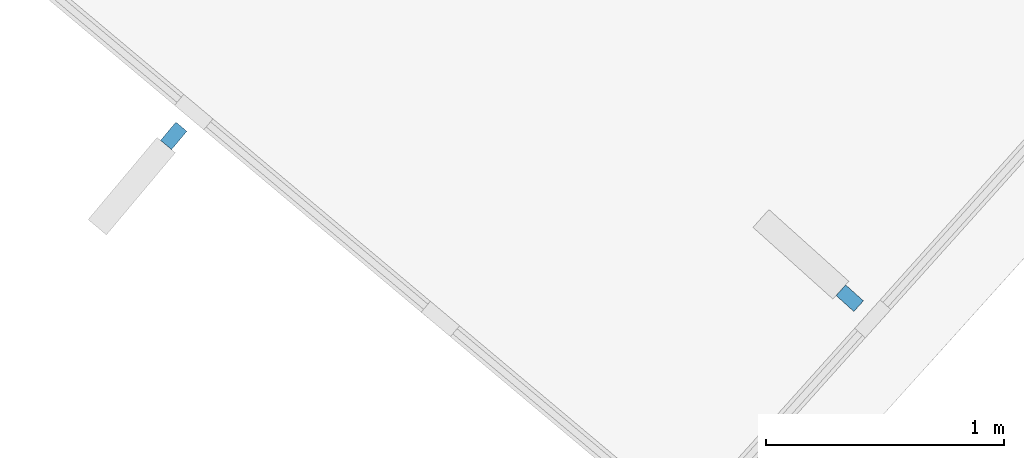
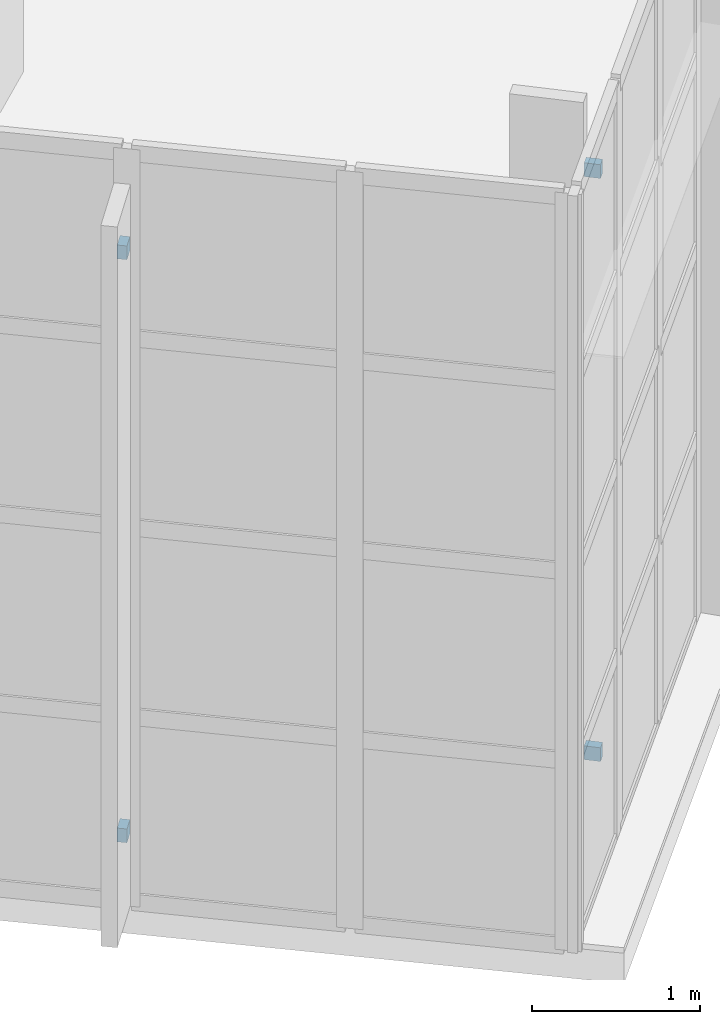
# One storey, part 85 of 132: 4 discrete accessories.
"""IFC4 building model written with IfcOpenShell, lengths in metres."""

from ifc_helpers import new_model, si_unit, direction, frame, origin, origin_2d, place, context, subcontext, project, spatial, rectangle, extrude, material, type_object, element, save


model = new_model("IFC4")

# Units and contexts
model_context = context("Model", 3, precision=1e-05, world=origin(), true_north=direction((0.0, 1.0)))
body_context = subcontext(model_context, "Body", "Model", "MODEL_VIEW")
ifc_project = project(units=[si_unit("LENGTHUNIT", "METRE"), si_unit("AREAUNIT", "SQUARE_METRE"), si_unit("VOLUMEUNIT", "CUBIC_METRE"), si_unit("PLANEANGLEUNIT", "RADIAN"), si_unit("MASSUNIT", "GRAM", prefix="KILO")], contexts=[model_context])

# Site, building, storey
site_placement = place(None, origin())
site = spatial("IfcSite", under=ifc_project, at=site_placement, CompositionType="ELEMENT")
building_placement = place(site_placement, origin())
building = spatial("IfcBuilding", under=site, at=building_placement, Name="Lunette Opera House", CompositionType="ELEMENT")
storey_placement = place(building_placement, frame((0.0, 0.0, 17.0)))
storey = spatial("IfcBuildingStorey", under=building, at=storey_placement, Name="L03", CompositionType="ELEMENT", Elevation=17.0)

# Discrete accessories
ifc_material = material(Name="Galvanised steel", Category="steel")
discrete_accessory_type = type_object("IfcDiscreteAccessoryType", Name="FIN BRACKET STEEL", PredefinedType="BRACKET", material=ifc_material)
for number, where, z_axis, x_axis, name in (
    (1, (56.618896484375, 34.572998046875, 0.56494140625), (0.0, 0.0, 1.0), (-0.74421712619, 0.667937773363, 0.0), "Fin bracket FC-X2167 2 1"),
    (2, (56.618896484375, 34.572998046875, 4.800048828125), (0.0, 0.0, 1.0), (-0.74421712619, 0.667937773363, 0.0), "Fin bracket FC-X2167 2 2"),
    (3, (53.783935546875, 35.25390625, 0.56494140625), (0.0, 0.0, 1.0), (-0.642839751189, -0.76600068818, 0.0), "Fin bracket FC-X2168 2 1"),
    (4, (53.783935546875, 35.25390625, 4.800048828125), (0.0, 0.0, 1.0), (-0.642839751189, -0.76600068818, 0.0), "Fin bracket FC-X2168 2 2"),
):
    element("IfcDiscreteAccessory", number, at=place(storey_placement, frame(where, z_axis=z_axis, x_axis=x_axis)), inside=storey, type_object=discrete_accessory_type, Name=name, PredefinedType="BRACKET", context=body_context, shape_type="SweptSolid", body=[
        extrude(rectangle(XDim=0.10009765625, YDim=0.06005859375, at=origin_2d()), origin(), (0.0, 0.0, 1.0), 0.10009765625),
    ])

save(model, "model.ifc")
